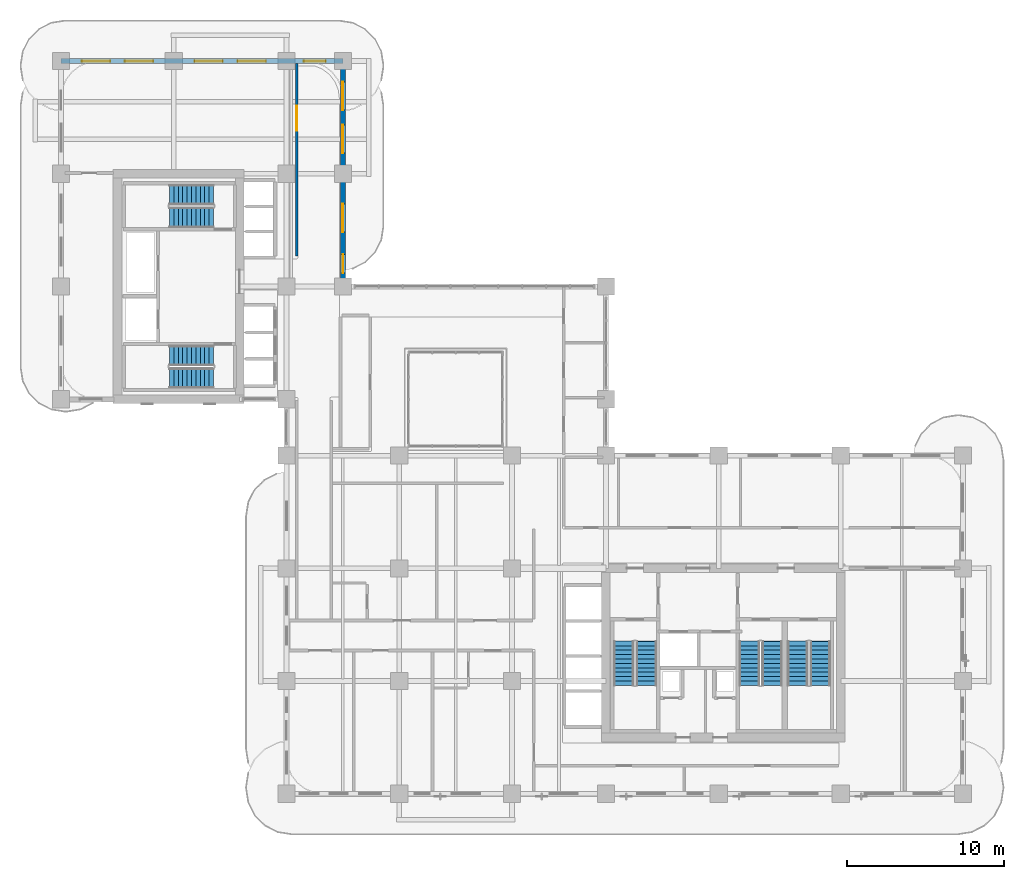
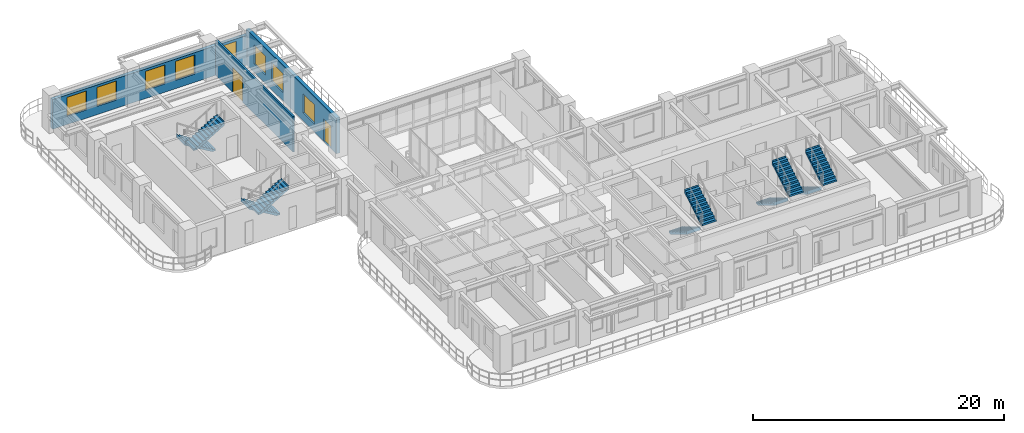
# One storey, part 17 of 22: 10 stair flights, 8 windows, 3 walls, 2 doors, 10 openings, 5 elements without a shape of their own.
"""IFC4 building model written with IfcOpenShell, lengths in metres."""

from ifc_helpers import new_model, si_unit, derived_unit, direction, frame, frame_2d, origin, place, context, subcontext, project, spatial, polyline, rectangle, outline, extrude, source, transform, mapped, material, layer, layer_set, type_object, type_shapes, element, fill, aggregate, save


model = new_model("IFC4")

# Units and contexts
model_context = context("Model", 3, precision=1e-05, world=origin(), true_north=direction((0.0, 1.0)))
body_context = subcontext(model_context, "Body", "Model", "MODEL_VIEW")
ifc_project = project(units=[si_unit("LENGTHUNIT", "METRE"), si_unit("AREAUNIT", "SQUARE_METRE"), si_unit("VOLUMEUNIT", "CUBIC_METRE"), si_unit("PLANEANGLEUNIT", "RADIAN"), si_unit("MASSUNIT", "GRAM", prefix="KILO"), si_unit("THERMODYNAMICTEMPERATUREUNIT", "KELVIN"), si_unit("POWERUNIT", "WATT"), derived_unit("THERMALTRANSMITTANCEUNIT", [(si_unit("POWERUNIT", "WATT"), 1), (si_unit("AREAUNIT", "SQUARE_METRE"), -1), (si_unit("THERMODYNAMICTEMPERATUREUNIT", "KELVIN"), -1)])], contexts=[model_context])

# Site, building, storey
site_placement = place(None, origin())
site = spatial("IfcSite", under=ifc_project, at=site_placement, CompositionType="ELEMENT")
building_placement = place(site_placement, origin())
building = spatial("IfcBuilding", under=site, at=building_placement, Name="Zahravan Archway Hotel and Residences", CompositionType="ELEMENT")
storey_placement = place(building_placement, frame((0.0, 0.0, 99.0)))
storey = spatial("IfcBuildingStorey", under=building, at=storey_placement, Name="L24", CompositionType="ELEMENT", Elevation=99.0)

# Wall, openings, windows
ifc_material_1 = material(Name="Agra Buff Sandstone & Insulated Backup", Category="masonry")
ifc_layer_1 = layer(ifc_material_1, 0.320068359375, Name="Agra Buff Sandstone & Insulated Backup", Category="masonry")
ifc_layer_set_1 = layer_set([ifc_layer_1], Name="Agra Buff Sandstone & Insulated Backup")
wall_type_1 = type_object("IfcWallType", Name="EW-SAND-320", PredefinedType="SOLIDWALL", material=ifc_layer_set_1)
wall_1_placement = place(storey_placement, frame((0.0, 46.800048828125, 0.0), z_axis=(0.0, 0.0, 1.0), x_axis=(1.0, 0.0, 0.0)))
wall_1 = element("IfcWall", 1, at=wall_1_placement, inside=storey, type_object=wall_type_1, Name="L24 Exterior Sandstone Wall WB-N", PredefinedType="SOLIDWALL", context=body_context, shape_type="SweptSolid", body=[
    extrude(rectangle(XDim=18.0, YDim=0.320068359375, at=frame_2d((9.0, 0.0))), origin(), (0.0, 0.0, 1.0), 2.885009765625),
])
opening_1_placement = place(wall_1_placement, frame((1.324951171875, 0.0, 0.800048828125)))
opening_1 = element("IfcOpeningElement", 2, at=opening_1_placement, cuts=wall_1, Name="Opening W-02", PredefinedType="OPENING", context=body_context, shape_type="SweptSolid", body=[
    extrude(rectangle(XDim=1.800048828125, YDim=1.85009765625, at=frame_2d((0.89990234375, 0.925048828125))), frame((0.0, 0.169921875, 0.0), z_axis=(0.0, -1.0, 0.0), x_axis=(1.0, 0.0, 0.0)), (0.0, 0.0, 1.0), 0.340087890625),
])
opening_2_placement = place(wall_1_placement, frame((4.074951171875, 0.0, 0.800048828125)))
opening_2 = element("IfcOpeningElement", 3, at=opening_2_placement, cuts=wall_1, Name="Opening W-02", PredefinedType="OPENING", context=body_context, shape_type="SweptSolid", body=[
    extrude(rectangle(XDim=1.800048828125, YDim=1.85009765625, at=frame_2d((0.89990234375, 0.925048828125))), frame((0.0, 0.169921875, 0.0), z_axis=(0.0, -1.0, 0.0), x_axis=(1.0, 0.0, 0.0)), (0.0, 0.0, 1.0), 0.340087890625),
])
opening_3_placement = place(wall_1_placement, frame((8.52490234375, 0.0, 0.800048828125)))
opening_3 = element("IfcOpeningElement", 4, at=opening_3_placement, cuts=wall_1, Name="Opening W-02", PredefinedType="OPENING", context=body_context, shape_type="SweptSolid", body=[
    extrude(rectangle(XDim=1.800048828125, YDim=1.85009765625, at=frame_2d((0.89990234375, 0.925048828125))), frame((0.0, 0.169921875, 0.0), z_axis=(0.0, -1.0, 0.0), x_axis=(1.0, 0.0, 0.0)), (0.0, 0.0, 1.0), 0.340087890625),
])
opening_4_placement = place(wall_1_placement, frame((11.27490234375, 0.0, 0.800048828125)))
opening_4 = element("IfcOpeningElement", 5, at=opening_4_placement, cuts=wall_1, Name="Opening W-02", PredefinedType="OPENING", context=body_context, shape_type="SweptSolid", body=[
    extrude(rectangle(XDim=1.800048828125, YDim=1.85009765625, at=frame_2d((0.89990234375, 0.925048828125))), frame((0.0, 0.169921875, 0.0), z_axis=(0.0, -1.0, 0.0), x_axis=(1.0, 0.0, 0.0)), (0.0, 0.0, 1.0), 0.340087890625),
])
opening_5_placement = place(wall_1_placement, frame((15.5, 0.0, 0.800048828125)))
opening_5 = element("IfcOpeningElement", 6, at=opening_5_placement, cuts=wall_1, Name="Opening W-03", PredefinedType="OPENING", context=body_context, shape_type="SweptSolid", body=[
    extrude(rectangle(XDim=1.39990234375, YDim=1.85009765625, at=frame_2d((0.699951171875, 0.925048828125))), frame((0.0, 0.169921875, 0.0), z_axis=(0.0, -1.0, 0.0), x_axis=(1.0, 0.0, 0.0)), (0.0, 0.0, 1.0), 0.340087890625),
])
ifc_material_2 = material(Name="Bronze-Anodized Thermal-Break Aluminium & Low-E Glass", Category="aluminium")
window_type_1 = type_object("IfcWindowType", Name="WIN-TWR-1400", PartitioningType="SINGLE_PANEL", PredefinedType="WINDOW", material=ifc_material_2)
shared_shape_1 = source(origin(), body_context, "Body", "SweptSolid", [
    extrude(rectangle(XDim=1.39990234375, YDim=1.85009765625, at=frame_2d((0.699951171875, 0.925048828125))), frame((0.0, 0.030029296875, 0.0), z_axis=(0.0, -1.0, 0.0), x_axis=(1.0, 0.0, 0.0)), (0.0, 0.0, 1.0), 0.06005859375),
])
type_shapes(window_type_1, [shared_shape_1])
window_1_placement = place(opening_5_placement, origin())
window_1 = element("IfcWindow", 7, at=window_1_placement, inside=storey, type_object=window_type_1, Name="L24 Loggia Window 38", OverallHeight=1.85009765625, OverallWidth=1.39990234375, PartitioningType="SINGLE_PANEL", PredefinedType="WINDOW", context=body_context, shape_type="MappedRepresentation", body=[
    mapped(shared_shape_1, transform((0.0, 0.0, 0.0), scale=1.0)),
])
fill(opening_5, window_1)
window_type_2 = type_object("IfcWindowType", Name="WIN-TWR-1800", PartitioningType="DOUBLE_PANEL_VERTICAL", PredefinedType="WINDOW", material=ifc_material_2)
shared_shape_2 = source(origin(), body_context, "Body", "SweptSolid", [
    extrude(rectangle(XDim=1.800048828125, YDim=1.85009765625, at=frame_2d((0.89990234375, 0.925048828125))), frame((0.0, 0.030029296875, 0.0), z_axis=(0.0, -1.0, 0.0), x_axis=(1.0, 0.0, 0.0)), (0.0, 0.0, 1.0), 0.06005859375),
])
type_shapes(window_type_2, [shared_shape_2])
window_2_placement = place(opening_1_placement, origin())
window_2 = element("IfcWindow", 8, at=window_2_placement, inside=storey, type_object=window_type_2, Name="L24 Loggia Window 34", OverallHeight=1.85009765625, OverallWidth=1.800048828125, PartitioningType="DOUBLE_PANEL_VERTICAL", PredefinedType="WINDOW", context=body_context, shape_type="MappedRepresentation", body=[
    mapped(shared_shape_2, transform((0.0, 0.0, 0.0), scale=1.0)),
])
fill(opening_1, window_2)
window_3_placement = place(opening_2_placement, origin())
window_3 = element("IfcWindow", 9, at=window_3_placement, inside=storey, type_object=window_type_2, Name="L24 Loggia Window 35", OverallHeight=1.85009765625, OverallWidth=1.800048828125, PartitioningType="DOUBLE_PANEL_VERTICAL", PredefinedType="WINDOW", context=body_context, shape_type="MappedRepresentation", body=[
    mapped(shared_shape_2, transform((0.0, 0.0, 0.0), scale=1.0)),
])
fill(opening_2, window_3)
window_4_placement = place(opening_3_placement, origin())
window_4 = element("IfcWindow", 10, at=window_4_placement, inside=storey, type_object=window_type_2, Name="L24 Loggia Window 36", OverallHeight=1.85009765625, OverallWidth=1.800048828125, PartitioningType="DOUBLE_PANEL_VERTICAL", PredefinedType="WINDOW", context=body_context, shape_type="MappedRepresentation", body=[
    mapped(shared_shape_2, transform((0.0, 0.0, 0.0), scale=1.0)),
])
fill(opening_3, window_4)
window_5_placement = place(opening_4_placement, origin())
window_5 = element("IfcWindow", 11, at=window_5_placement, inside=storey, type_object=window_type_2, Name="L24 Loggia Window 37", OverallHeight=1.85009765625, OverallWidth=1.800048828125, PartitioningType="DOUBLE_PANEL_VERTICAL", PredefinedType="WINDOW", context=body_context, shape_type="MappedRepresentation", body=[
    mapped(shared_shape_2, transform((0.0, 0.0, 0.0), scale=1.0)),
])
fill(opening_4, window_5)

# Wall, openings, door, windows
wall_2_placement = place(storey_placement, frame((18.0, 32.39990234375, 0.0), z_axis=(0.0, 0.0, 1.0), x_axis=(0.0, 1.0, 0.0)))
wall_2 = element("IfcWall", 12, at=wall_2_placement, inside=storey, type_object=wall_type_1, Name="L24 Exterior Sandstone Wall WB-EU", PredefinedType="SOLIDWALL", context=body_context, shape_type="SweptSolid", body=[
    extrude(rectangle(XDim=14.35009765625, YDim=0.320068359375, at=frame_2d((7.175048828125, 0.0))), origin(), (0.0, 0.0, 1.0), 3.449951171875),
])
opening_6_placement = place(wall_2_placement, frame((0.85009765625, 0.0, 0.0)))
opening_6 = element("IfcOpeningElement", 13, at=opening_6_placement, cuts=wall_2, Name="Opening ED-BL1", PredefinedType="OPENING", context=body_context, shape_type="SweptSolid", body=[
    extrude(rectangle(XDim=1.199951171875, YDim=2.199951171875, at=frame_2d((0.60009765625, 1.10009765625))), frame((0.0, 0.169921875, 0.0), z_axis=(0.0, -1.0, 0.0), x_axis=(1.0, 0.0, 0.0)), (0.0, 0.0, 1.0), 0.340087890625),
])
opening_7_placement = place(wall_2_placement, frame((3.47509765625, 0.0, 0.800048828125)))
opening_7 = element("IfcOpeningElement", 14, at=opening_7_placement, cuts=wall_2, Name="Opening W-02", PredefinedType="OPENING", context=body_context, shape_type="SweptSolid", body=[
    extrude(rectangle(XDim=1.800048828125, YDim=1.85009765625, at=frame_2d((0.89990234375, 0.925048828125))), frame((0.0, 0.169921875, 0.0), z_axis=(0.0, -1.0, 0.0), x_axis=(1.0, 0.0, 0.0)), (0.0, 0.0, 1.0), 0.340087890625),
])
opening_8_placement = place(wall_2_placement, frame((8.52490234375, 0.0, 0.800048828125)))
opening_8 = element("IfcOpeningElement", 15, at=opening_8_placement, cuts=wall_2, Name="Opening W-02", PredefinedType="OPENING", context=body_context, shape_type="SweptSolid", body=[
    extrude(rectangle(XDim=1.800048828125, YDim=1.85009765625, at=frame_2d((0.89990234375, 0.925048828125))), frame((0.0, 0.169921875, 0.0), z_axis=(0.0, -1.0, 0.0), x_axis=(1.0, 0.0, 0.0)), (0.0, 0.0, 1.0), 0.340087890625),
])
opening_9_placement = place(wall_2_placement, frame((11.27490234375, 0.0, 0.800048828125)))
opening_9 = element("IfcOpeningElement", 16, at=opening_9_placement, cuts=wall_2, Name="Opening W-02", PredefinedType="OPENING", context=body_context, shape_type="SweptSolid", body=[
    extrude(rectangle(XDim=1.800048828125, YDim=1.85009765625, at=frame_2d((0.89990234375, 0.925048828125))), frame((0.0, 0.169921875, 0.0), z_axis=(0.0, -1.0, 0.0), x_axis=(1.0, 0.0, 0.0)), (0.0, 0.0, 1.0), 0.340087890625),
])
ifc_material_3 = material(Name="Bronze-Anodized Glazed Aluminium", Category="aluminium")
door_type_1 = type_object("IfcDoorType", Name="ED-BALC-1200", OperationType="SLIDING_TO_LEFT", PredefinedType="DOOR", material=ifc_material_3)
shared_shape_3 = source(origin(), body_context, "Body", "SweptSolid", [
    extrude(rectangle(XDim=1.199951171875, YDim=2.199951171875, at=frame_2d((0.60009765625, 1.10009765625))), frame((0.0, 0.02490234375, 0.0), z_axis=(0.0, -1.0, 0.0), x_axis=(1.0, 0.0, 0.0)), (0.0, 0.0, 1.0), 0.050048828125),
])
type_shapes(door_type_1, [shared_shape_3])
door_1_placement = place(opening_6_placement, origin())
door_1 = element("IfcDoor", 17, at=door_1_placement, inside=storey, type_object=door_type_1, Name="L24 Outdoor Access Sliding Door (SLB-BAL-L24-EB)", OperationType="SLIDING_TO_LEFT", OverallHeight=2.199951171875, OverallWidth=1.199951171875, PredefinedType="DOOR", context=body_context, shape_type="MappedRepresentation", body=[
    mapped(shared_shape_3, transform((0.0, 0.0, 0.0), scale=1.0)),
])
fill(opening_6, door_1)
window_6_placement = place(opening_7_placement, origin())
window_6 = element("IfcWindow", 18, at=window_6_placement, inside=storey, type_object=window_type_2, Name="L24 Loggia Window 39", OverallHeight=1.85009765625, OverallWidth=1.800048828125, PartitioningType="DOUBLE_PANEL_VERTICAL", PredefinedType="WINDOW", context=body_context, shape_type="MappedRepresentation", body=[
    mapped(shared_shape_2, transform((0.0, 0.0, 0.0), scale=1.0)),
])
fill(opening_7, window_6)
window_7_placement = place(opening_8_placement, origin())
window_7 = element("IfcWindow", 19, at=window_7_placement, inside=storey, type_object=window_type_2, Name="L24 Loggia Window 40", OverallHeight=1.85009765625, OverallWidth=1.800048828125, PartitioningType="DOUBLE_PANEL_VERTICAL", PredefinedType="WINDOW", context=body_context, shape_type="MappedRepresentation", body=[
    mapped(shared_shape_2, transform((0.0, 0.0, 0.0), scale=1.0)),
])
fill(opening_8, window_7)
window_8_placement = place(opening_9_placement, origin())
window_8 = element("IfcWindow", 20, at=window_8_placement, inside=storey, type_object=window_type_2, Name="L24 Loggia Window 41", OverallHeight=1.85009765625, OverallWidth=1.800048828125, PartitioningType="DOUBLE_PANEL_VERTICAL", PredefinedType="WINDOW", context=body_context, shape_type="MappedRepresentation", body=[
    mapped(shared_shape_2, transform((0.0, 0.0, 0.0), scale=1.0)),
])
fill(opening_9, window_8)

# Wall, opening, door
ifc_material_4 = material(Name="Fire-Rated Gypsum & Concrete Block", Category="concrete")
ifc_layer_2 = layer(ifc_material_4, 0.159912109375, Name="Fire-Rated Gypsum & Concrete Block", Category="concrete")
ifc_layer_set_2 = layer_set([ifc_layer_2], Name="Fire-Rated Gypsum & Concrete Block")
wall_type_2 = type_object("IfcWallType", Name="PW-CORR-160", PredefinedType="PARTITIONING", material=ifc_layer_set_2)
wall_3_placement = place(storey_placement, frame((15.050048828125, 34.340087890625, 0.0), z_axis=(0.0, 0.0, 1.0), x_axis=(0.0, 1.0, 0.0)))
wall_3 = element("IfcWall", 21, at=wall_3_placement, inside=storey, type_object=wall_type_2, Name="L24 Partition WBN-C", PredefinedType="PARTITIONING", context=body_context, shape_type="SweptSolid", body=[
    extrude(rectangle(XDim=12.2919921875, YDim=0.159912109375, at=frame_2d((6.14599609375, 0.0))), origin(), (0.0, 0.0, 1.0), 3.449951171875),
])
opening_10_placement = place(wall_3_placement, frame((8.010009765625, 0.0, 0.0)))
opening_10 = element("IfcOpeningElement", 22, at=opening_10_placement, cuts=wall_3, Name="Opening D-P2", PredefinedType="OPENING", context=body_context, shape_type="SweptSolid", body=[
    extrude(rectangle(XDim=1.60009765625, YDim=2.39990234375, at=frame_2d((0.800048828125, 1.199951171875))), frame((0.0, 0.08984375, 0.0), z_axis=(0.0, -1.0, 0.0), x_axis=(1.0, 0.0, 0.0)), (0.0, 0.0, 1.0), 0.179931640625),
])
door_type_2 = type_object("IfcDoorType", Name="ID-PUBLIC-1600", OperationType="DOUBLE_DOOR_SINGLE_SWING", PredefinedType="DOOR", material=ifc_material_3)
shared_shape_4 = source(origin(), body_context, "Body", "SweptSolid", [
    extrude(rectangle(XDim=1.60009765625, YDim=2.39990234375, at=frame_2d((0.800048828125, 1.199951171875))), frame((0.0, 0.02490234375, 0.0), z_axis=(0.0, -1.0, 0.0), x_axis=(1.0, 0.0, 0.0)), (0.0, 0.0, 1.0), 0.050048828125),
])
type_shapes(door_type_2, [shared_shape_4])
door_2_placement = place(opening_10_placement, origin())
door_2 = element("IfcDoor", 23, at=door_2_placement, inside=storey, type_object=door_type_2, Name="L24 North Wing Spa Salon Door", OperationType="DOUBLE_DOOR_SINGLE_SWING", OverallHeight=2.39990234375, OverallWidth=1.60009765625, PredefinedType="DOOR", context=body_context, shape_type="MappedRepresentation", body=[
    mapped(shared_shape_4, transform((0.0, 0.0, 0.0), scale=1.0)),
])
fill(opening_10, door_2)

# Stair, stair flights
ifc_material_5 = material(Name="Concrete C50/60", Category="concrete")
stair_type = type_object("IfcStairType", Name="STR-CORE-1300", PredefinedType="HALF_TURN_STAIR", material=ifc_material_5)
stair_1_placement = place(storey_placement, origin())
stair_1 = element("IfcStair", 24, at=stair_1_placement, inside=storey, type_object=stair_type, Name="L24 Core A Exit Stair 1", PredefinedType="HALF_TURN_STAIR")
ifc_layer_3 = layer(ifc_material_5, 0.199951171875, Name="Concrete C50/60", Category="concrete")
ifc_layer_set_3 = layer_set([ifc_layer_3], Name="Concrete C50/60")
stair_flight_type = type_object("IfcStairFlightType", Name="SFL-CORE-1300", PredefinedType="STRAIGHT", material=ifc_layer_set_3)
shared_shape_5 = source(origin(), body_context, "Body", "SweptSolid", [
    extrude(outline(polyline([(-0.01611328125, 0.0), (-0.01611328125, 0.168212890625), (0.280029296875, 0.168212890625), (0.280029296875, 0.33642578125), (0.56005859375, 0.33642578125), (0.56005859375, 0.504638671875), (0.840087890625, 0.504638671875), (0.840087890625, 0.672607421875), (1.1201171875, 0.672607421875), (1.1201171875, 0.8408203125), (1.39990234375, 0.8408203125), (1.39990234375, 1.009033203125), (1.679931640625, 1.009033203125), (1.679931640625, 1.17724609375), (1.9599609375, 1.17724609375), (1.9599609375, 1.345458984375), (2.239990234375, 1.345458984375), (2.239990234375, 1.513671875), (2.52001953125, 1.513671875), (2.52001953125, 1.681884765625), (2.800048828125, 1.681884765625), (2.800048828125, 1.85009765625), (2.816162109375, 1.85009765625), (2.816162109375, 1.5068359375), (0.291015625, 0.0), (-0.01611328125, 0.0)])), frame((0.0, 0.64990234375, 0.0), z_axis=(0.0, -1.0, 0.0), x_axis=(1.0, 0.0, 0.0)), (0.0, 0.0, 1.0), 1.300048828125),
])
stair_flight_1_placement = place(storey_placement, frame((35.949951171875, 9.72998046875, 0.0), z_axis=(0.0, 0.0, 1.0), x_axis=(0.0, -1.0, 0.0)))
stair_flight_1 = element("IfcStairFlight", 25, at=stair_flight_1_placement, type_object=stair_flight_type, Name="ST-A1 flight 1", NumberOfRisers=11, NumberOfTreads=10, PredefinedType="STRAIGHT", RiserHeight=0.168181818, TreadLength=0.28, context=body_context, shape_type="MappedRepresentation", body=[
    mapped(shared_shape_5, transform((0.0, 0.0, 0.0), scale=1.0)),
])
stair_flight_2_placement = place(storey_placement, frame((37.389892578125, 6.929931640625, 1.85009765625), z_axis=(0.0, 0.0, 1.0), x_axis=(0.0, 1.0, 0.0)))
stair_flight_2 = element("IfcStairFlight", 26, at=stair_flight_2_placement, type_object=stair_flight_type, Name="ST-A1 flight 2", NumberOfRisers=11, NumberOfTreads=10, PredefinedType="STRAIGHT", RiserHeight=0.168181818, TreadLength=0.28, context=body_context, shape_type="MappedRepresentation", body=[
    mapped(shared_shape_5, transform((0.0, 0.0, 0.0), scale=1.0)),
])
aggregate(stair_1, [stair_flight_1, stair_flight_2])

stair_2_placement = place(storey_placement, origin())
stair_2 = element("IfcStair", 27, at=stair_2_placement, inside=storey, type_object=stair_type, Name="L24 Core A Exit Stair 2", PredefinedType="HALF_TURN_STAIR")
stair_flight_3_placement = place(storey_placement, frame((43.969970703125, 9.72998046875, 0.0), z_axis=(0.0, 0.0, 1.0), x_axis=(0.0, -1.0, 0.0)))
stair_flight_3 = element("IfcStairFlight", 28, at=stair_flight_3_placement, type_object=stair_flight_type, Name="ST-A2 flight 1", NumberOfRisers=11, NumberOfTreads=10, PredefinedType="STRAIGHT", RiserHeight=0.168181818, TreadLength=0.28, context=body_context, shape_type="MappedRepresentation", body=[
    mapped(shared_shape_5, transform((0.0, 0.0, 0.0), scale=1.0)),
])
stair_flight_4_placement = place(storey_placement, frame((45.409912109375, 6.929931640625, 1.85009765625), z_axis=(0.0, 0.0, 1.0), x_axis=(0.0, 1.0, 0.0)))
stair_flight_4 = element("IfcStairFlight", 29, at=stair_flight_4_placement, type_object=stair_flight_type, Name="ST-A2 flight 2", NumberOfRisers=11, NumberOfTreads=10, PredefinedType="STRAIGHT", RiserHeight=0.168181818, TreadLength=0.28, context=body_context, shape_type="MappedRepresentation", body=[
    mapped(shared_shape_5, transform((0.0, 0.0, 0.0), scale=1.0)),
])
aggregate(stair_2, [stair_flight_3, stair_flight_4])

stair_3_placement = place(storey_placement, origin())
stair_3 = element("IfcStair", 30, at=stair_3_placement, inside=storey, type_object=stair_type, Name="L24 Core A Exit Stair 3", PredefinedType="HALF_TURN_STAIR")
stair_flight_5_placement = place(storey_placement, frame((47.050048828125, 9.72998046875, 0.0), z_axis=(0.0, 0.0, 1.0), x_axis=(0.0, -1.0, 0.0)))
stair_flight_5 = element("IfcStairFlight", 31, at=stair_flight_5_placement, type_object=stair_flight_type, Name="ST-A3 flight 1", NumberOfRisers=11, NumberOfTreads=10, PredefinedType="STRAIGHT", RiserHeight=0.168181818, TreadLength=0.28, context=body_context, shape_type="MappedRepresentation", body=[
    mapped(shared_shape_5, transform((0.0, 0.0, 0.0), scale=1.0)),
])
stair_flight_6_placement = place(storey_placement, frame((48.489990234375, 6.929931640625, 1.85009765625), z_axis=(0.0, 0.0, 1.0), x_axis=(0.0, 1.0, 0.0)))
stair_flight_6 = element("IfcStairFlight", 32, at=stair_flight_6_placement, type_object=stair_flight_type, Name="ST-A3 flight 2", NumberOfRisers=11, NumberOfTreads=10, PredefinedType="STRAIGHT", RiserHeight=0.168181818, TreadLength=0.28, context=body_context, shape_type="MappedRepresentation", body=[
    mapped(shared_shape_5, transform((0.0, 0.0, 0.0), scale=1.0)),
])
aggregate(stair_3, [stair_flight_5, stair_flight_6])

stair_4_placement = place(storey_placement, origin())
stair_4 = element("IfcStair", 33, at=stair_4_placement, inside=storey, type_object=stair_type, Name="L24 Core B Exit Stair 1", PredefinedType="HALF_TURN_STAIR")
stair_flight_7_placement = place(storey_placement, frame((9.72998046875, 27.989990234375, 0.0), z_axis=(0.0, 0.0, 1.0), x_axis=(-1.0, 0.0, 0.0)))
stair_flight_7 = element("IfcStairFlight", 34, at=stair_flight_7_placement, type_object=stair_flight_type, Name="ST-B1 flight 1", NumberOfRisers=11, NumberOfTreads=10, PredefinedType="STRAIGHT", RiserHeight=0.168181818, TreadLength=0.28, context=body_context, shape_type="MappedRepresentation", body=[
    mapped(shared_shape_5, transform((0.0, 0.0, 0.0), scale=1.0)),
])
stair_flight_8_placement = place(storey_placement, frame((6.929931640625, 26.550048828125, 1.85009765625), z_axis=(0.0, 0.0, 1.0), x_axis=(1.0, 0.0, 0.0)))
stair_flight_8 = element("IfcStairFlight", 35, at=stair_flight_8_placement, type_object=stair_flight_type, Name="ST-B1 flight 2", NumberOfRisers=11, NumberOfTreads=10, PredefinedType="STRAIGHT", RiserHeight=0.168181818, TreadLength=0.28, context=body_context, shape_type="MappedRepresentation", body=[
    mapped(shared_shape_5, transform((0.0, 0.0, 0.0), scale=1.0)),
])
aggregate(stair_4, [stair_flight_7, stair_flight_8])

stair_5_placement = place(storey_placement, origin())
stair_5 = element("IfcStair", 36, at=stair_5_placement, inside=storey, type_object=stair_type, Name="L24 Core B Exit Stair 2", PredefinedType="HALF_TURN_STAIR")
stair_flight_9_placement = place(storey_placement, frame((9.72998046875, 38.25, 0.0), z_axis=(0.0, 0.0, 1.0), x_axis=(-1.0, 0.0, 0.0)))
stair_flight_9 = element("IfcStairFlight", 37, at=stair_flight_9_placement, type_object=stair_flight_type, Name="ST-B2 flight 1", NumberOfRisers=11, NumberOfTreads=10, PredefinedType="STRAIGHT", RiserHeight=0.168181818, TreadLength=0.28, context=body_context, shape_type="MappedRepresentation", body=[
    mapped(shared_shape_5, transform((0.0, 0.0, 0.0), scale=1.0)),
])
stair_flight_10_placement = place(storey_placement, frame((6.929931640625, 36.81005859375, 1.85009765625), z_axis=(0.0, 0.0, 1.0), x_axis=(1.0, 0.0, 0.0)))
stair_flight_10 = element("IfcStairFlight", 38, at=stair_flight_10_placement, type_object=stair_flight_type, Name="ST-B2 flight 2", NumberOfRisers=11, NumberOfTreads=10, PredefinedType="STRAIGHT", RiserHeight=0.168181818, TreadLength=0.28, context=body_context, shape_type="MappedRepresentation", body=[
    mapped(shared_shape_5, transform((0.0, 0.0, 0.0), scale=1.0)),
])
aggregate(stair_5, [stair_flight_9, stair_flight_10])

save(model, "model.ifc")
